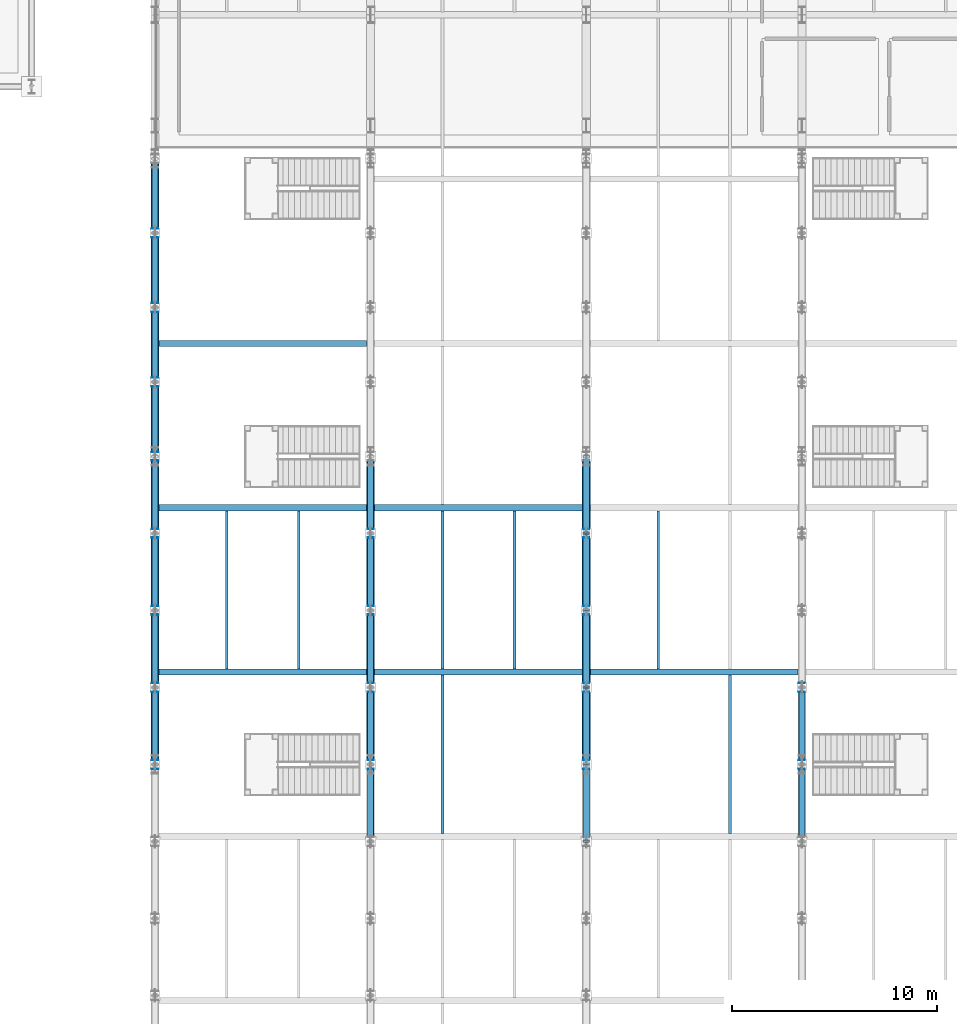
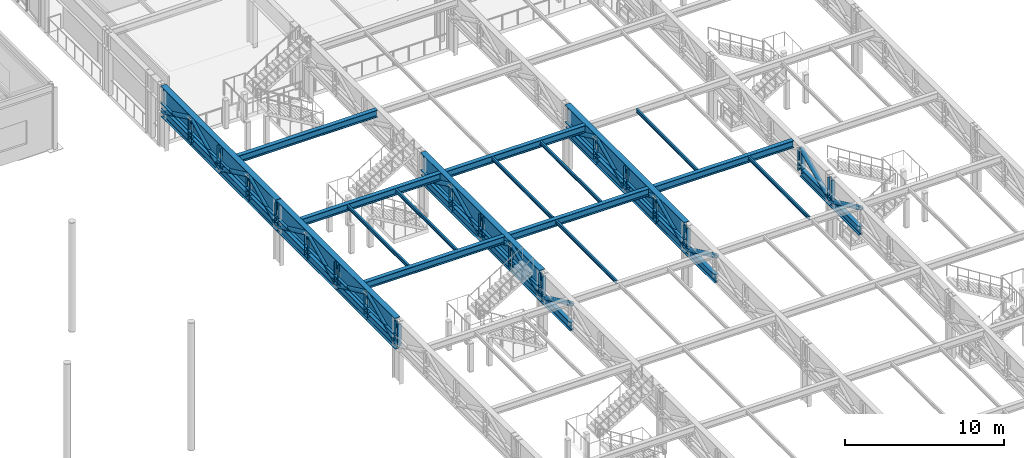
# One storey, part 38 of 143: 58 members, 17 beams.
"""IFC4 building model written with IfcOpenShell, lengths in metres."""

from ifc_helpers import new_model, si_unit, direction, frame, origin, origin_2d, place, context, subcontext, project, spatial, hollow_circle, i_section, extrude, material, material_profile, profile_set, type_object, element, save


model = new_model("IFC4")

# Units and contexts
model_context = context("Model", 3, precision=1e-05, world=origin(), true_north=direction((0.0, 1.0)))
body_context = subcontext(model_context, "Body", "Model", "MODEL_VIEW")
ifc_project = project(units=[si_unit("LENGTHUNIT", "METRE"), si_unit("AREAUNIT", "SQUARE_METRE"), si_unit("VOLUMEUNIT", "CUBIC_METRE"), si_unit("PLANEANGLEUNIT", "RADIAN"), si_unit("MASSUNIT", "GRAM", prefix="KILO")], contexts=[model_context])

# Site, building, storey
site_placement = place(None, origin())
site = spatial("IfcSite", under=ifc_project, at=site_placement, CompositionType="ELEMENT")
building_placement = place(site_placement, origin())
building = spatial("IfcBuilding", under=site, at=building_placement, Name="Marlcrest Central Station", CompositionType="ELEMENT")
storey_placement = place(building_placement, frame((0.0, 0.0, 4.800048828125)))
storey = spatial("IfcBuildingStorey", under=building, at=storey_placement, Name="L01", CompositionType="ELEMENT", Elevation=4.800048828125)

# Beams
ifc_material = material(Name="Steel S355", Category="steel")
ifc_material_profile_1 = material_profile(ifc_material, i_section(OverallWidth=0.300048828125, OverallDepth=0.550048828125, WebThickness=0.014892578125, FlangeThickness=0.029052734375, FilletRadius=0.027099609375, at=origin_2d()), Name="HEB 550")
ifc_profile_set_1 = profile_set([ifc_material_profile_1], Name="Steel S355")
beam_type_1 = type_object("IfcBeamType", Name="BM-11", PredefinedType="BEAM", material=ifc_profile_set_1)
for number, where, z_axis, x_axis, name in (
    (1, (87.195068359375, 70.5, 4.5400390625), (1.0, 0.0, 0.0), (0.0, 1.0, 0.0), "bm-BM-11-L01-01197"),
    (2, (97.695068359375, 70.5, 4.5400390625), (1.0, 0.0, 0.0), (0.0, 1.0, 0.0), "bm-BM-11-L01-01198"),
    (3, (108.195068359375, 70.5, 4.5400390625), (1.0, 0.0, 0.0), (0.0, 1.0, 0.0), "bm-BM-11-L01-01199"),
    (4, (87.195068359375, 78.5, 4.5400390625), (1.0, 0.0, 0.0), (0.0, 1.0, 0.0), "bm-BM-11-L01-01204"),
    (5, (97.695068359375, 78.5, 4.5400390625), (1.0, 0.0, 0.0), (0.0, 1.0, 0.0), "bm-BM-11-L01-01205"),
    (6, (87.195068359375, 86.5, 4.5400390625), (1.0, 0.0, 0.0), (0.0, 1.0, 0.0), "bm-BM-11-L01-01208"),
):
    element("IfcBeam", number, at=place(storey_placement, frame(where, z_axis=z_axis, x_axis=x_axis)), inside=storey, type_object=beam_type_1, Name=name, PredefinedType="BEAM", context=body_context, shape_type="SweptSolid", body=[
        extrude(i_section(OverallWidth=0.300048828125, OverallDepth=0.550048828125, WebThickness=0.014892578125, FlangeThickness=0.029052734375, FilletRadius=0.027099609375, at=origin_2d()), origin(), (0.0, 0.0, 1.0), 10.10986328125),
    ])
ifc_material_profile_2 = material_profile(ifc_material, i_section(OverallWidth=0.135009765625, OverallDepth=0.27001953125, WebThickness=0.006591796875, FlangeThickness=0.01025390625, FilletRadius=0.014892578125, at=origin_2d()), Name="IPE 270")
ifc_profile_set_2 = profile_set([ifc_material_profile_2], Name="Steel S355")
beam_type_2 = type_object("IfcBeamType", Name="JS-04", PredefinedType="JOIST", material=ifc_profile_set_2)
for number, where, z_axis, x_axis, name in (
    (7, (101.0, 62.64794921875, 4.679931640625), (0.0, 1.0, 0.0), (-1.0, 0.0, 0.0), "bm-JS-04-L01-01277"),
    (8, (115.0, 62.64794921875, 4.679931640625), (0.0, 1.0, 0.0), (-1.0, 0.0, 0.0), "bm-JS-04-L01-01278"),
    (9, (90.5, 70.64794921875, 4.679931640625), (0.0, 1.0, 0.0), (-1.0, 0.0, 0.0), "bm-JS-04-L01-01281"),
    (10, (94.0, 70.64794921875, 4.679931640625), (0.0, 1.0, 0.0), (-1.0, 0.0, 0.0), "bm-JS-04-L01-01282"),
    (11, (101.0, 70.64794921875, 4.679931640625), (0.0, 1.0, 0.0), (-1.0, 0.0, 0.0), "bm-JS-04-L01-01283"),
    (12, (104.5, 70.64794921875, 4.679931640625), (0.0, 1.0, 0.0), (-1.0, 0.0, 0.0), "bm-JS-04-L01-01284"),
    (13, (111.5, 70.64794921875, 4.679931640625), (0.0, 1.0, 0.0), (-1.0, 0.0, 0.0), "bm-JS-04-L01-01285"),
):
    element("IfcBeam", number, at=place(storey_placement, frame(where, z_axis=z_axis, x_axis=x_axis)), inside=storey, type_object=beam_type_2, Name=name, PredefinedType="JOIST", context=body_context, shape_type="SweptSolid", body=[
        extrude(i_section(OverallWidth=0.135009765625, OverallDepth=0.27001953125, WebThickness=0.006591796875, FlangeThickness=0.01025390625, FilletRadius=0.014892578125, at=origin_2d()), origin(), (0.0, 0.0, 1.0), 7.7041015625),
    ])

# Members
ifc_material_profile_3 = material_profile(ifc_material, i_section(OverallWidth=0.300048828125, OverallDepth=0.64990234375, WebThickness=0.01611328125, FlangeThickness=0.031005859375, FilletRadius=0.027099609375, at=origin_2d()), Name="HEB 650")
ifc_profile_set_3 = profile_set([ifc_material_profile_3], Name="Steel S355")
member_type_1 = type_object("IfcMemberType", Name="TC-01", PredefinedType="CHORD", material=ifc_profile_set_3)
for number, where, z_axis, x_axis, name in (
    (14, (87.0, 66.0, 2.744873046875), (0.0, 1.0, 0.0), (-1.0, 0.0, 0.0), "mem-TC-01-L01-02143"),
    (15, (87.0, 69.75, 2.744873046875), (0.0, 1.0, 0.0), (-1.0, 0.0, 0.0), "mem-TC-01-L01-02146"),
    (16, (87.0, 73.5, 2.744873046875), (0.0, 1.0, 0.0), (-1.0, 0.0, 0.0), "mem-TC-01-L01-02149"),
    (17, (87.0, 77.25, 2.744873046875), (0.0, 1.0, 0.0), (-1.0, 0.0, 0.0), "mem-TC-01-L01-02152"),
):
    element("IfcMember", number, at=place(storey_placement, frame(where, z_axis=z_axis, x_axis=x_axis)), inside=storey, type_object=member_type_1, Name=name, PredefinedType="CHORD", context=body_context, shape_type="SweptSolid", body=[
        extrude(i_section(OverallWidth=0.300048828125, OverallDepth=0.64990234375, WebThickness=0.01611328125, FlangeThickness=0.031005859375, FilletRadius=0.027099609375, at=origin_2d()), origin(), (0.0, 0.0, 1.0), 3.75),
    ])
for number, where, z_axis, x_axis, name in (
    (18, (87.0, 81.0, 2.744873046875), (0.0, 1.0, 0.0), (-1.0, 0.0, 0.0), "mem-TC-01-L01-02155"),
    (19, (87.0, 84.625, 2.744873046875), (0.0, 1.0, 0.0), (-1.0, 0.0, 0.0), "mem-TC-01-L01-02158"),
    (20, (87.0, 88.25, 2.744873046875), (0.0, 1.0, 0.0), (-1.0, 0.0, 0.0), "mem-TC-01-L01-02161"),
    (21, (87.0, 91.875, 2.744873046875), (0.0, 1.0, 0.0), (-1.0, 0.0, 0.0), "mem-TC-01-L01-02164"),
):
    element("IfcMember", number, at=place(storey_placement, frame(where, z_axis=z_axis, x_axis=x_axis)), inside=storey, type_object=member_type_1, Name=name, PredefinedType="CHORD", context=body_context, shape_type="SweptSolid", body=[
        extrude(i_section(OverallWidth=0.300048828125, OverallDepth=0.64990234375, WebThickness=0.01611328125, FlangeThickness=0.031005859375, FilletRadius=0.027099609375, at=origin_2d()), origin(), (0.0, 0.0, 1.0), 3.625),
    ])
for number, where, z_axis, x_axis, name in (
    (22, (97.5, 62.25, 2.744873046875), (0.0, 1.0, 0.0), (-1.0, 0.0, 0.0), "mem-TC-01-L01-02189"),
    (23, (97.5, 66.0, 2.744873046875), (0.0, 1.0, 0.0), (-1.0, 0.0, 0.0), "mem-TC-01-L01-02192"),
    (24, (97.5, 69.75, 2.744873046875), (0.0, 1.0, 0.0), (-1.0, 0.0, 0.0), "mem-TC-01-L01-02195"),
    (25, (97.5, 73.5, 2.744873046875), (0.0, 1.0, 0.0), (-1.0, 0.0, 0.0), "mem-TC-01-L01-02198"),
    (26, (97.5, 77.25, 2.744873046875), (0.0, 1.0, 0.0), (-1.0, 0.0, 0.0), "mem-TC-01-L01-02201"),
    (27, (108.0, 62.25, 2.744873046875), (0.0, 1.0, 0.0), (-1.0, 0.0, 0.0), "mem-TC-01-L01-02238"),
    (28, (108.0, 66.0, 2.744873046875), (0.0, 1.0, 0.0), (-1.0, 0.0, 0.0), "mem-TC-01-L01-02241"),
    (29, (108.0, 69.75, 2.744873046875), (0.0, 1.0, 0.0), (-1.0, 0.0, 0.0), "mem-TC-01-L01-02244"),
    (30, (108.0, 73.5, 2.744873046875), (0.0, 1.0, 0.0), (-1.0, 0.0, 0.0), "mem-TC-01-L01-02247"),
    (31, (108.0, 77.25, 2.744873046875), (0.0, 1.0, 0.0), (-1.0, 0.0, 0.0), "mem-TC-01-L01-02250"),
    (32, (118.5, 62.25, 2.744873046875), (0.0, 1.0, 0.0), (-1.0, 0.0, 0.0), "mem-TC-01-L01-02287"),
    (33, (118.5, 66.0, 2.744873046875), (0.0, 1.0, 0.0), (-1.0, 0.0, 0.0), "mem-TC-01-L01-02290"),
):
    element("IfcMember", number, at=place(storey_placement, frame(where, z_axis=z_axis, x_axis=x_axis)), inside=storey, type_object=member_type_1, Name=name, PredefinedType="CHORD", context=body_context, shape_type="SweptSolid", body=[
        extrude(i_section(OverallWidth=0.300048828125, OverallDepth=0.64990234375, WebThickness=0.01611328125, FlangeThickness=0.031005859375, FilletRadius=0.027099609375, at=origin_2d()), origin(), (0.0, 0.0, 1.0), 3.75),
    ])
ifc_material_profile_4 = material_profile(ifc_material, hollow_circle(Radius=0.161865234375, WallThickness=0.01611328125, at=origin_2d()), Name="CHS 323.9x16")
ifc_profile_set_4 = profile_set([ifc_material_profile_4], Name="Steel S355")
member_type_2 = type_object("IfcMemberType", Name="TD-01", PredefinedType="BRACE", material=ifc_profile_set_4)
for number, where, z_axis, x_axis, name in (
    (34, (87.0, 66.0, 2.744873046875), (0.0, 0.906183139995, 0.422885465331), (-1.0, 0.0, 0.0), "mem-TD-01-L01-02145"),
    (35, (87.0, 69.75, 4.494873046875), (0.0, 0.906183139995, -0.422885465331), (-1.0, 0.0, 0.0), "mem-TD-01-L01-02148"),
    (36, (87.0, 73.5, 2.744873046875), (0.0, 0.906183139995, 0.422885465331), (-1.0, 0.0, 0.0), "mem-TD-01-L01-02151"),
    (37, (87.0, 77.25, 4.494873046875), (0.0, 0.906183139995, -0.422885465331), (-1.0, 0.0, 0.0), "mem-TD-01-L01-02154"),
):
    element("IfcMember", number, at=place(storey_placement, frame(where, z_axis=z_axis, x_axis=x_axis)), inside=storey, type_object=member_type_2, Name=name, PredefinedType="BRACE", context=body_context, shape_type="SweptSolid", body=[
        extrude(hollow_circle(Radius=0.161865234375, WallThickness=0.01611328125, at=origin_2d()), origin(), (0.0, 0.0, 1.0), 4.13818359375),
    ])
for number, where, z_axis, x_axis, name in (
    (38, (87.0, 81.0, 2.744873046875), (0.0, 0.900551636365, 0.434749065831), (-1.0, 0.0, 0.0), "mem-TD-01-L01-02157"),
    (39, (87.0, 84.625, 4.494873046875), (0.0, 0.900551636365, -0.434749065831), (-1.0, 0.0, 0.0), "mem-TD-01-L01-02160"),
    (40, (87.0, 88.25, 2.744873046875), (0.0, 0.900551636365, 0.434749065831), (-1.0, 0.0, 0.0), "mem-TD-01-L01-02163"),
    (41, (87.0, 91.875, 4.494873046875), (0.0, 0.900551636365, -0.434749065831), (-1.0, 0.0, 0.0), "mem-TD-01-L01-02166"),
):
    element("IfcMember", number, at=place(storey_placement, frame(where, z_axis=z_axis, x_axis=x_axis)), inside=storey, type_object=member_type_2, Name=name, PredefinedType="BRACE", context=body_context, shape_type="SweptSolid", body=[
        extrude(hollow_circle(Radius=0.161865234375, WallThickness=0.01611328125, at=origin_2d()), origin(), (0.0, 0.0, 1.0), 4.025390625),
    ])
for number, where, z_axis, x_axis, name in (
    (42, (97.5, 62.25, 4.494873046875), (0.0, 0.906183139995, -0.422885465331), (-1.0, 0.0, 0.0), "mem-TD-01-L01-02191"),
    (43, (97.5, 66.0, 2.744873046875), (0.0, 0.906183139995, 0.422885465331), (-1.0, 0.0, 0.0), "mem-TD-01-L01-02194"),
    (44, (97.5, 69.75, 4.494873046875), (0.0, 0.906183139995, -0.422885465331), (-1.0, 0.0, 0.0), "mem-TD-01-L01-02197"),
    (45, (97.5, 73.5, 2.744873046875), (0.0, 0.906183139995, 0.422885465331), (-1.0, 0.0, 0.0), "mem-TD-01-L01-02200"),
    (46, (97.5, 77.25, 4.494873046875), (0.0, 0.906183139995, -0.422885465331), (-1.0, 0.0, 0.0), "mem-TD-01-L01-02203"),
    (47, (108.0, 62.25, 4.494873046875), (0.0, 0.906183139995, -0.422885465331), (-1.0, 0.0, 0.0), "mem-TD-01-L01-02240"),
    (48, (108.0, 66.0, 2.744873046875), (0.0, 0.906183139995, 0.422885465331), (-1.0, 0.0, 0.0), "mem-TD-01-L01-02243"),
    (49, (108.0, 69.75, 4.494873046875), (0.0, 0.906183139995, -0.422885465331), (-1.0, 0.0, 0.0), "mem-TD-01-L01-02246"),
    (50, (108.0, 73.5, 2.744873046875), (0.0, 0.906183139995, 0.422885465331), (-1.0, 0.0, 0.0), "mem-TD-01-L01-02249"),
    (51, (108.0, 77.25, 4.494873046875), (0.0, 0.906183139995, -0.422885465331), (-1.0, 0.0, 0.0), "mem-TD-01-L01-02252"),
    (52, (118.5, 62.25, 4.494873046875), (0.0, 0.906183139995, -0.422885465331), (-1.0, 0.0, 0.0), "mem-TD-01-L01-02289"),
    (53, (118.5, 66.0, 2.744873046875), (0.0, 0.906183139995, 0.422885465331), (-1.0, 0.0, 0.0), "mem-TD-01-L01-02292"),
):
    element("IfcMember", number, at=place(storey_placement, frame(where, z_axis=z_axis, x_axis=x_axis)), inside=storey, type_object=member_type_2, Name=name, PredefinedType="BRACE", context=body_context, shape_type="SweptSolid", body=[
        extrude(hollow_circle(Radius=0.161865234375, WallThickness=0.01611328125, at=origin_2d()), origin(), (0.0, 0.0, 1.0), 4.13818359375),
    ])

# Beams
ifc_material_profile_5 = material_profile(ifc_material, i_section(OverallWidth=0.39990234375, OverallDepth=1.35009765625, WebThickness=0.02197265625, FlangeThickness=0.034912109375, at=origin_2d()), Name="PG 1350x400")
ifc_profile_set_5 = profile_set([ifc_material_profile_5], Name="Steel S355")
beam_type_3 = type_object("IfcBeamType", Name="TG-01", PredefinedType="USERDEFINED", material=ifc_profile_set_5)
beam_1_placement = place(storey_placement, frame((87.0, 66.02001953125, 4.139892578125), z_axis=(0.0, 1.0, 0.0), x_axis=(-1.0, 0.0, 0.0)))
element("IfcBeam", 54, at=beam_1_placement, inside=storey, type_object=beam_type_3, Name="bm-TG-01-L01-01145", ObjectType="TRANSFER_GIRDER", PredefinedType="USERDEFINED", context=body_context, shape_type="SweptSolid", body=[
    extrude(i_section(OverallWidth=0.39990234375, OverallDepth=1.35009765625, WebThickness=0.02197265625, FlangeThickness=0.034912109375, at=origin_2d()), origin(), (0.0, 0.0, 1.0), 14.9599609375),
])
beam_2_placement = place(storey_placement, frame((87.0, 81.02001953125, 4.139892578125), z_axis=(0.0, 1.0, 0.0), x_axis=(-1.0, 0.0, 0.0)))
element("IfcBeam", 55, at=beam_2_placement, inside=storey, type_object=beam_type_3, Name="bm-TG-01-L01-01146", ObjectType="TRANSFER_GIRDER", PredefinedType="USERDEFINED", context=body_context, shape_type="SweptSolid", body=[
    extrude(i_section(OverallWidth=0.39990234375, OverallDepth=1.35009765625, WebThickness=0.02197265625, FlangeThickness=0.034912109375, at=origin_2d()), origin(), (0.0, 0.0, 1.0), 14.4599609375),
])
for number, where, z_axis, x_axis, name in (
    (56, (97.5, 66.02001953125, 4.139892578125), (0.0, 1.0, 0.0), (-1.0, 0.0, 0.0), "bm-TG-01-L01-01149"),
    (57, (108.0, 66.02001953125, 4.139892578125), (0.0, 1.0, 0.0), (-1.0, 0.0, 0.0), "bm-TG-01-L01-01153"),
):
    element("IfcBeam", number, at=place(storey_placement, frame(where, z_axis=z_axis, x_axis=x_axis)), inside=storey, type_object=beam_type_3, Name=name, ObjectType="TRANSFER_GIRDER", PredefinedType="USERDEFINED", context=body_context, shape_type="SweptSolid", body=[
        extrude(i_section(OverallWidth=0.39990234375, OverallDepth=1.35009765625, WebThickness=0.02197265625, FlangeThickness=0.034912109375, at=origin_2d()), origin(), (0.0, 0.0, 1.0), 14.9599609375),
    ])

# Members
ifc_material_profile_6 = material_profile(ifc_material, i_section(OverallWidth=0.300048828125, OverallDepth=0.449951171875, WebThickness=0.013916015625, FlangeThickness=0.02587890625, FilletRadius=0.027099609375, at=origin_2d()), Name="HEB 450")
ifc_profile_set_6 = profile_set([ifc_material_profile_6], Name="Steel S355")
member_type_3 = type_object("IfcMemberType", Name="TP-01", PredefinedType="POST", material=ifc_profile_set_6)
for number, where, z_axis, x_axis, name in (
    (58, (87.0, 66.0, 2.744873046875), (0.0, 0.0, 1.0), (1.0, 0.0, 0.0), "mem-TP-01-L01-02144"),
    (59, (87.0, 69.75, 2.744873046875), (0.0, 0.0, 1.0), (1.0, 0.0, 0.0), "mem-TP-01-L01-02147"),
    (60, (87.0, 73.5, 2.744873046875), (0.0, 0.0, 1.0), (1.0, 0.0, 0.0), "mem-TP-01-L01-02150"),
    (61, (87.0, 77.25, 2.744873046875), (0.0, 0.0, 1.0), (1.0, 0.0, 0.0), "mem-TP-01-L01-02153"),
    (62, (87.0, 81.0, 2.744873046875), (0.0, 0.0, 1.0), (1.0, 0.0, 0.0), "mem-TP-01-L01-02156"),
    (63, (87.0, 84.625, 2.744873046875), (0.0, 0.0, 1.0), (1.0, 0.0, 0.0), "mem-TP-01-L01-02159"),
    (64, (87.0, 88.25, 2.744873046875), (0.0, 0.0, 1.0), (1.0, 0.0, 0.0), "mem-TP-01-L01-02162"),
    (65, (87.0, 91.875, 2.744873046875), (0.0, 0.0, 1.0), (1.0, 0.0, 0.0), "mem-TP-01-L01-02165"),
    (66, (97.5, 66.0, 2.744873046875), (0.0, 0.0, 1.0), (1.0, 0.0, 0.0), "mem-TP-01-L01-02193"),
    (67, (97.5, 69.75, 2.744873046875), (0.0, 0.0, 1.0), (1.0, 0.0, 0.0), "mem-TP-01-L01-02196"),
    (68, (97.5, 73.5, 2.744873046875), (0.0, 0.0, 1.0), (1.0, 0.0, 0.0), "mem-TP-01-L01-02199"),
    (69, (97.5, 77.25, 2.744873046875), (0.0, 0.0, 1.0), (1.0, 0.0, 0.0), "mem-TP-01-L01-02202"),
    (70, (108.0, 66.0, 2.744873046875), (0.0, 0.0, 1.0), (1.0, 0.0, 0.0), "mem-TP-01-L01-02242"),
    (71, (108.0, 69.75, 2.744873046875), (0.0, 0.0, 1.0), (1.0, 0.0, 0.0), "mem-TP-01-L01-02245"),
    (72, (108.0, 73.5, 2.744873046875), (0.0, 0.0, 1.0), (1.0, 0.0, 0.0), "mem-TP-01-L01-02248"),
    (73, (108.0, 77.25, 2.744873046875), (0.0, 0.0, 1.0), (1.0, 0.0, 0.0), "mem-TP-01-L01-02251"),
    (74, (118.5, 66.0, 2.744873046875), (0.0, 0.0, 1.0), (1.0, 0.0, 0.0), "mem-TP-01-L01-02291"),
    (75, (118.5, 69.75, 2.744873046875), (0.0, 0.0, 1.0), (1.0, 0.0, 0.0), "mem-TP-01-L01-02294"),
):
    element("IfcMember", number, at=place(storey_placement, frame(where, z_axis=z_axis, x_axis=x_axis)), inside=storey, type_object=member_type_3, Name=name, PredefinedType="POST", context=body_context, shape_type="SweptSolid", body=[
        extrude(i_section(OverallWidth=0.300048828125, OverallDepth=0.449951171875, WebThickness=0.013916015625, FlangeThickness=0.02587890625, FilletRadius=0.027099609375, at=origin_2d()), origin(), (0.0, 0.0, 1.0), 1.75),
    ])

save(model, "model.ifc")
